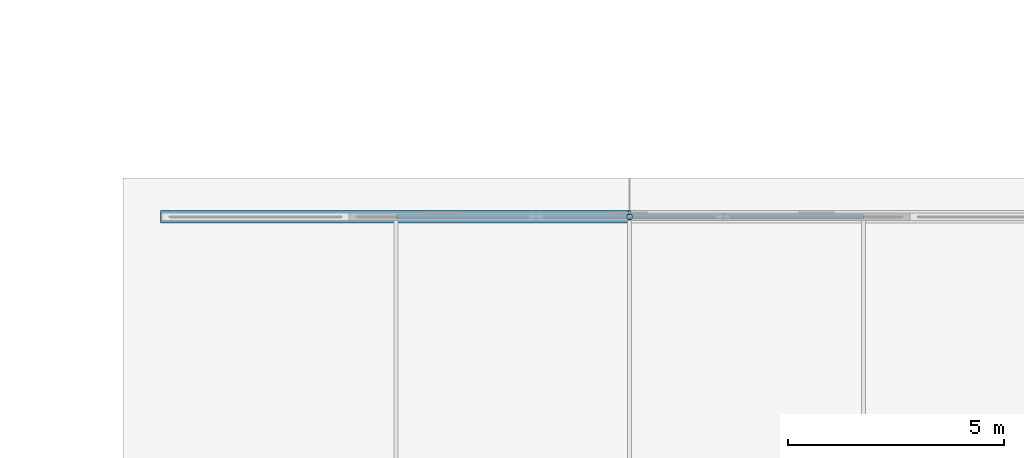
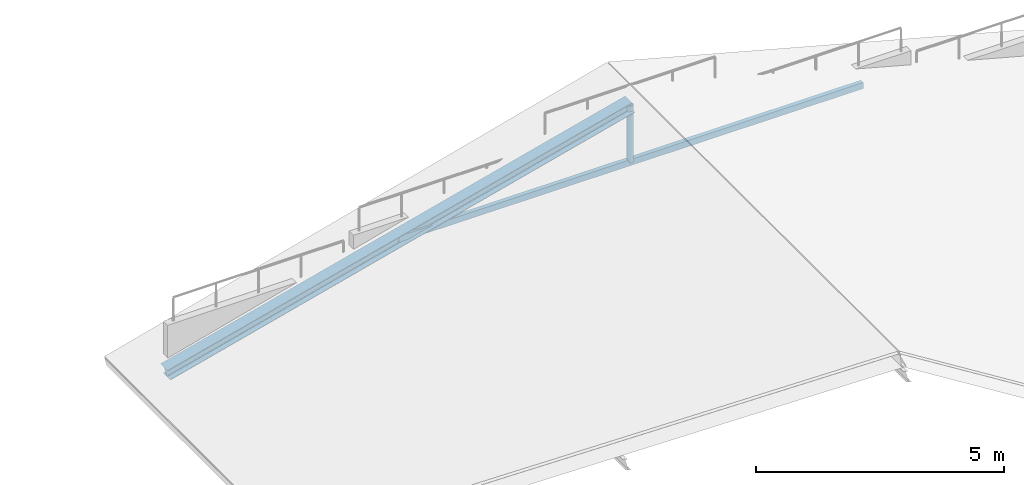
# One storey, part 16 of 40: 3 members.
"""IFC4 building model written with IfcOpenShell, lengths in metres."""

import ifcopenshell
import ifcopenshell.guid

model = None  # the IFC model being written
_history = None  # IfcOwnerHistory: only IFC2X3 demands one
_inside = {}  # id of a spatial element -> (the spatial element, [elements in it])
_under = {}  # id of a project, library or spatial element -> (it, [spatial elements below it])
_declared = {}  # id of a project -> (the project, [libraries it declares])
_typed = {}  # id of a type object -> (the type object, [elements of that type])
_made_of = {}  # id of a material, layer set ... -> (it, [elements and type objects made of it])


def new_model(schema):
    """Start an empty IFC model of exactly this schema.

    Asked for "IFC4X3", IfcOpenShell would pick the latest addendum, in which some entities
    have other attributes; the version numbers below select the first issue.
    IFC2X3 requires an IfcOwnerHistory on every rooted entity: one is made here for all.
    """
    global model, _history
    if schema == "IFC4X3":
        model = ifcopenshell.file(schema_version=(4, 3, 0, 0))
    else:
        model = ifcopenshell.file(schema=schema)
    _inside.clear()
    _under.clear()
    _declared.clear()
    _typed.clear()
    _made_of.clear()
    _history = None
    if model.schema == "IFC2X3":
        org = make("IfcOrganization", Name="unknown")
        user = make(
            "IfcPersonAndOrganization",
            ThePerson=make("IfcPerson", FamilyName="unknown"),
            TheOrganization=org,
        )
        app = make(
            "IfcApplication",
            ApplicationDeveloper=org,
            Version="unknown",
            ApplicationFullName="unknown",
            ApplicationIdentifier="unknown",
        )
        _history = make(
            "IfcOwnerHistory",
            OwningUser=user,
            OwningApplication=app,
            ChangeAction="ADDED",
            CreationDate=0,
        )
    return model


def make(cls, **values):
    """One entity of the class cls with the attributes given. An attribute that is None is left unset."""
    return model.create_entity(
        cls, **{name: value for name, value in values.items() if value is not None}
    )


def rooted(cls, **values):
    """An entity with a GlobalId (a new one), such as an element, a storey or a relation."""
    return make(cls, GlobalId=ifcopenshell.guid.new(), OwnerHistory=_history, **values)


def si_unit(unit_type, name, prefix=None):
    """IfcSIUnit, for example si_unit("LENGTHUNIT", "METRE", prefix="MILLI")."""
    return make("IfcSIUnit", UnitType=unit_type, Prefix=prefix, Name=name)


def assignment(units):
    """IfcUnitAssignment: the units of a project."""
    return None if units is None else make("IfcUnitAssignment", Units=units)


def point(xyz):
    """IfcCartesianPoint."""
    return None if xyz is None else make("IfcCartesianPoint", Coordinates=xyz)


def direction(xyz):
    """IfcDirection."""
    return None if xyz is None else make("IfcDirection", DirectionRatios=xyz)


def frame(location, z_axis=None, x_axis=None):
    """IfcAxis2Placement3D, a coordinate frame: its origin and axes. An axis left out is left unset."""
    return make(
        "IfcAxis2Placement3D",
        Location=point(location),
        Axis=direction(z_axis),
        RefDirection=direction(x_axis),
    )


def frame_2d(location, x_axis=None):
    """IfcAxis2Placement2D, a coordinate frame in the plane: its origin and x axis."""
    return make(
        "IfcAxis2Placement2D", Location=point(location), RefDirection=direction(x_axis)
    )


def origin():
    """The frame at (0, 0, 0) with its axes left unset."""
    return frame((0.0, 0.0, 0.0))


def origin_2d():
    """The frame at (0, 0) in the plane with its x axis left unset."""
    return frame_2d((0.0, 0.0))


def place(relative_to, where):
    """IfcLocalPlacement: puts the frame where relative to a parent placement (None: the world)."""
    return make(
        "IfcLocalPlacement", PlacementRelTo=relative_to, RelativePlacement=where
    )


def context(
    kind, dimensions, precision=None, world=None, true_north=None, identifier=None
):
    """IfcGeometricRepresentationContext, for example the 3D "Model" context."""
    return make(
        "IfcGeometricRepresentationContext",
        ContextIdentifier=identifier,
        ContextType=kind,
        CoordinateSpaceDimension=dimensions,
        Precision=precision,
        WorldCoordinateSystem=world,
        TrueNorth=true_north,
    )


def subcontext(parent, identifier, kind, view, scale=None):
    """IfcGeometricRepresentationSubContext, for example "Body" below "Model"."""
    return make(
        "IfcGeometricRepresentationSubContext",
        ContextIdentifier=identifier,
        ContextType=kind,
        ParentContext=parent,
        TargetScale=scale,
        TargetView=view,
    )


def project(units=None, contexts=None):
    """IfcProject with its units and contexts."""
    return rooted(
        "IfcProject",
        Name="project",
        RepresentationContexts=contexts,
        UnitsInContext=assignment(units),
    )


def spatial(cls, under=None, at=None, **own):
    """A site, building, storey or space (cls), placed at a placement, below another one or the project."""
    s = rooted(cls, ObjectPlacement=at, **own)
    if under is not None:
        _under.setdefault(under.id(), (under, []))[1].append(s)
    return s


def profile(cls, at=None, kind="AREA", **sizes):
    """A parametric profile (cls). Its sizes go by their IFC names, for example OverallWidth=200.0."""
    return make(cls, ProfileType=kind, Position=at, **sizes)


def hollow_rectangle(**sizes):
    """IfcRectangleHollowProfileDef."""
    return profile("IfcRectangleHollowProfileDef", **sizes)


def hollow_circle(**sizes):
    """IfcCircleHollowProfileDef."""
    return profile("IfcCircleHollowProfileDef", **sizes)


def i_section(**sizes):
    """IfcIShapeProfileDef."""
    return profile("IfcIShapeProfileDef", **sizes)


def extrude(swept, where, along, depth):
    """IfcExtrudedAreaSolid: the profile swept, set in the frame where, extruded along a direction by depth."""
    return make(
        "IfcExtrudedAreaSolid",
        SweptArea=swept,
        Position=where,
        ExtrudedDirection=direction(along),
        Depth=depth,
    )


def shape(context_of_items, identifier, shape_type, items):
    """IfcShapeRepresentation: the items that make up one representation, for example the "Body"."""
    return make(
        "IfcShapeRepresentation",
        ContextOfItems=context_of_items,
        RepresentationIdentifier=identifier,
        RepresentationType=shape_type,
        Items=items,
    )


def material(Name=None, Category=None):
    """IfcMaterial."""
    return make("IfcMaterial", Name=Name, Category=Category)


def material_profile(
    of_material, cross_section, Name=None, Category=None, Priority=None
):
    """IfcMaterialProfile: a cross section and its material."""
    return make(
        "IfcMaterialProfile",
        Name=Name,
        Material=of_material,
        Profile=cross_section,
        Priority=Priority,
        Category=Category,
    )


def profile_set(profiles, Name=None, composite=None):
    """IfcMaterialProfileSet."""
    return make(
        "IfcMaterialProfileSet",
        Name=Name,
        MaterialProfiles=profiles,
        CompositeProfile=composite,
    )


def made_of(thing, what):
    """Note that an element or type object is made of a material, layer set ...; save() writes the relation."""
    if what is not None:
        _made_of.setdefault(what.id(), (what, []))[1].append(thing)
    return thing


def type_object(cls, material=None, **own):
    """A type object (cls), such as IfcWallType, which elements share."""
    return made_of(rooted(cls, **own), material)


def element(
    cls,
    number,
    at=None,
    inside=None,
    cuts=None,
    type_object=None,
    material=None,
    context=None,
    identifier="Body",
    shape_type=None,
    held_by="IfcProductDefinitionShape",
    body=None,
    shapes=None,
    **own,
):
    """One element of the class cls, such as IfcWall. Its Tag is "e" and its number.

    at: its placement. inside: the storey or other place that contains it. cuts: it is an
    opening in that element (IfcRelVoidsElement). A single representation is given by context,
    identifier, shape_type and body (its items); several are given by shapes. held_by: the class
    of the entity that holds the representations. save() writes the other relations.
    """
    e = rooted(cls, Tag="e%d" % number, ObjectPlacement=at, **own)
    if body is not None:
        shapes = [shape(context, identifier, shape_type, body)]
    if shapes is not None:
        e.Representation = make(held_by, Representations=shapes)
    if inside is not None:
        _inside.setdefault(inside.id(), (inside, []))[1].append(e)
    if cuts is not None:
        rooted(
            "IfcRelVoidsElement", RelatingBuildingElement=cuts, RelatedOpeningElement=e
        )
    if type_object is not None:
        _typed.setdefault(type_object.id(), (type_object, []))[1].append(e)
    return made_of(e, material)


def aggregate(whole, parts):
    """IfcRelAggregates: a whole, such as a stair, and the parts it consists of."""
    return rooted("IfcRelAggregates", RelatingObject=whole, RelatedObjects=parts)


def save(model, path):
    """Write the relations noted so far, then the file.

    IfcRelAggregates (storeys below a building ...), IfcRelContainedInSpatialStructure (elements
    in a storey), IfcRelDefinesByType, IfcRelAssociatesMaterial and IfcRelDeclares: one each for
    every whole, place, type object, material and project.
    """
    for whole, parts in _under.values():
        aggregate(whole, parts)
    for where, things in _inside.values():
        rooted(
            "IfcRelContainedInSpatialStructure",
            RelatedElements=things,
            RelatingStructure=where,
        )
    for kind, things in _typed.values():
        rooted("IfcRelDefinesByType", RelatedObjects=things, RelatingType=kind)
    for what, things in _made_of.values():
        rooted("IfcRelAssociatesMaterial", RelatedObjects=things, RelatingMaterial=what)
    for by, libraries in _declared.values():
        rooted("IfcRelDeclares", RelatingContext=by, RelatedDefinitions=libraries)
    model.write(path)


model = new_model("IFC4")

# Units and contexts
model_context = context("Model", 3, precision=1e-05, world=origin(), true_north=direction((0.0, 1.0)))
body_context = subcontext(model_context, "Body", "Model", "MODEL_VIEW")
ifc_project = project(units=[si_unit("LENGTHUNIT", "METRE"), si_unit("AREAUNIT", "SQUARE_METRE"), si_unit("VOLUMEUNIT", "CUBIC_METRE"), si_unit("PLANEANGLEUNIT", "RADIAN"), si_unit("MASSUNIT", "GRAM", prefix="KILO"), si_unit("THERMODYNAMICTEMPERATUREUNIT", "KELVIN"), si_unit("POWERUNIT", "WATT")], contexts=[model_context])

# Site, building, storey
site_placement = place(None, origin())
site = spatial("IfcSite", under=ifc_project, at=site_placement, CompositionType="ELEMENT")
building_placement = place(site_placement, origin())
building = spatial("IfcBuilding", under=site, at=building_placement, Name="Tavuni Mirador Residences", CompositionType="ELEMENT")
storey_placement = place(building_placement, frame((0.0, 0.0, 36.0)))
storey = spatial("IfcBuildingStorey", under=building, at=storey_placement, Name="L11", CompositionType="ELEMENT", Elevation=36.0)

# Members
ifc_material = material(Name="Structural steel S355", Category="steel")
ifc_material_profile_1 = material_profile(ifc_material, hollow_circle(Radius=0.06982421875, WallThickness=0.008056640625, at=origin_2d()), Name="CHS 139.7x8.0", Category="steel")
ifc_profile_set_1 = profile_set([ifc_material_profile_1], Name="Structural steel S355")
member_type_1 = type_object("IfcMemberType", Name="MT-BR-CHS139", PredefinedType="BRACE", material=ifc_profile_set_1)
member_1_placement = place(storey_placement, frame((108.0, 122.39990234375, 1.050048828125), z_axis=(0.0, 0.0, 1.0), x_axis=(1.0, 0.0, 0.0)))
element("IfcMember", 1, at=member_1_placement, inside=storey, type_object=member_type_1, Name="RKP-BLK-D-05", PredefinedType="BRACE", context=body_context, shape_type="SweptSolid", body=[
    extrude(hollow_circle(Radius=0.06982421875, WallThickness=0.008056640625, at=origin_2d()), origin(), (0.0, 0.0, 1.0), 1.39990234375),
])
ifc_material_profile_2 = material_profile(ifc_material, hollow_rectangle(XDim=0.10009765625, YDim=0.14990234375, WallThickness=0.008056640625, at=origin_2d()), Name="RHS 150x100x8.0", Category="steel")
ifc_profile_set_2 = profile_set([ifc_material_profile_2], Name="Structural steel S355")
member_type_2 = type_object("IfcMemberType", Name="MT-BR-RHS150", PredefinedType="BRACE", material=ifc_profile_set_2)
member_2_placement = place(storey_placement, frame((102.60009765625, 122.39990234375, 1.050048828125), z_axis=(1.0, 0.0, 0.0), x_axis=(0.0, 1.0, 0.0)))
element("IfcMember", 2, at=member_2_placement, inside=storey, type_object=member_type_2, Name="RTIE-BLK-D-05", PredefinedType="BRACE", context=body_context, shape_type="SweptSolid", body=[
    extrude(hollow_rectangle(XDim=0.10009765625, YDim=0.14990234375, WallThickness=0.008056640625, at=origin_2d()), origin(), (0.0, 0.0, 1.0), 10.7998046875),
])
ifc_material_profile_3 = material_profile(ifc_material, i_section(OverallWidth=0.280029296875, OverallDepth=0.27001953125, WebThickness=0.008056640625, FlangeThickness=0.012939453125, FilletRadius=0.02392578125, at=origin_2d()), Name="HEA 280", Category="steel")
ifc_profile_set_3 = profile_set([ifc_material_profile_3], Name="Structural steel S355")
member_type_3 = type_object("IfcMemberType", Name="MT-CH-HEA280", PredefinedType="CHORD", material=ifc_profile_set_3)
member_3_placement = place(storey_placement, frame((97.199951171875, 122.39990234375, -0.35009765625), z_axis=(0.967996110632, 0.0, 0.250965196393), x_axis=(0.0, 1.0, 0.0)))
element("IfcMember", 3, at=member_3_placement, inside=storey, type_object=member_type_3, Name="RAF-BLK-D-05-W", PredefinedType="CHORD", context=body_context, shape_type="SweptSolid", body=[
    extrude(i_section(OverallWidth=0.280029296875, OverallDepth=0.27001953125, WebThickness=0.008056640625, FlangeThickness=0.012939453125, FilletRadius=0.02392578125, at=origin_2d()), origin(), (0.0, 0.0, 1.0), 11.1572265625),
])

save(model, "model.ifc")
